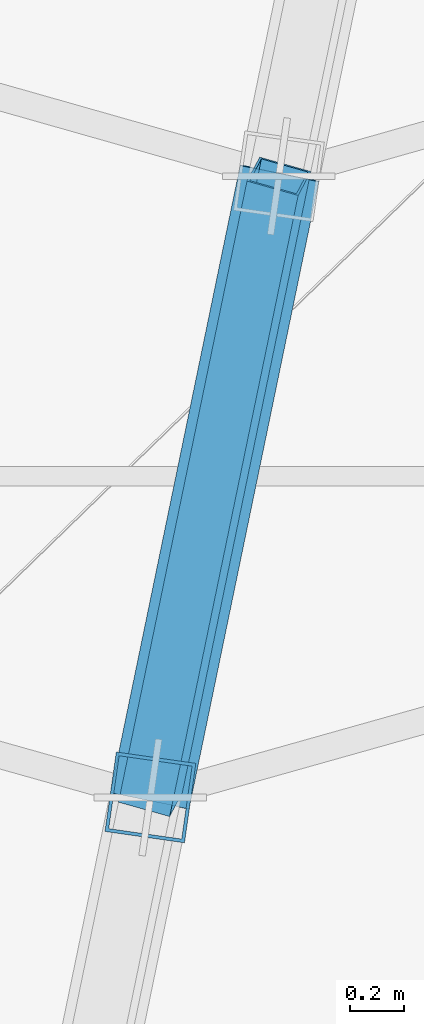
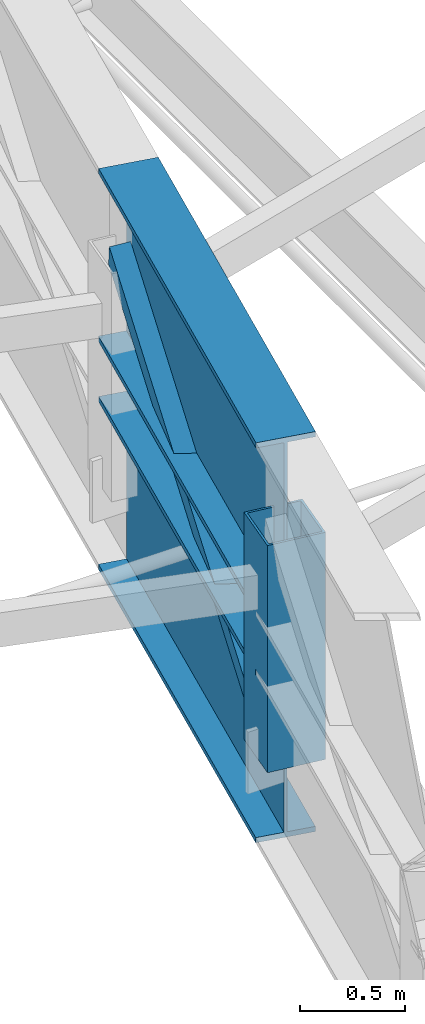
# One storey, part 48 of 184: 2 beams, 2 members.
"""IFC4 building model written with IfcOpenShell, lengths in metres."""

from ifc_helpers import new_model, si_unit, direction, frame, origin, origin_2d, place, context, subcontext, project, spatial, hollow_rectangle, i_section, extrude, material, material_profile, profile_set, type_object, element, save


model = new_model("IFC4")

# Units and contexts
model_context = context("Model", 3, precision=1e-05, world=origin(), true_north=direction((0.0, 1.0)))
body_context = subcontext(model_context, "Body", "Model", "MODEL_VIEW")
ifc_project = project(units=[si_unit("LENGTHUNIT", "METRE"), si_unit("AREAUNIT", "SQUARE_METRE"), si_unit("VOLUMEUNIT", "CUBIC_METRE"), si_unit("PLANEANGLEUNIT", "RADIAN"), si_unit("MASSUNIT", "GRAM", prefix="KILO")], contexts=[model_context])

# Site, building, storey
site_placement = place(None, origin())
site = spatial("IfcSite", under=ifc_project, at=site_placement, CompositionType="ELEMENT")
building_placement = place(site_placement, origin())
building = spatial("IfcBuilding", under=site, at=building_placement, Name="Kalgoora Escarpment Arena", CompositionType="ELEMENT")
storey_placement = place(building_placement, frame((0.0, 0.0, 27.60009765625)))
storey = spatial("IfcBuildingStorey", under=building, at=storey_placement, Name="Roof Level", CompositionType="ELEMENT", Elevation=27.60009765625)

# Beams
ifc_material_1 = material(Name="Structural steel Grade 350 (350 MPa)", Category="steel")
ifc_material_profile_1 = material_profile(ifc_material_1, i_section(OverallWidth=0.300048828125, OverallDepth=1.010009765625, WebThickness=0.01611328125, FlangeThickness=0.030029296875, at=origin_2d()))
ifc_profile_set_1 = profile_set([ifc_material_profile_1], Name="Structural steel Grade 350 (350 MPa)")
beam_type = type_object("IfcBeamType", Name="BM-TRUSS-CHORD", PredefinedType="USERDEFINED", material=ifc_profile_set_1)
for number, where, z_axis, x_axis, name in (
    (1, (94.797607421875, 45.98828125, -1.625), (0.202605182316, 0.979258381192, 0.002040334162), (-0.979260419507, 0.202605604036, 0.0), "Radial ROOF TRUSS spine 7 bottom chord 7"),
    (2, (94.797607421875, 45.98828125, -0.300048828125), (0.202603831774, 0.979251853575, 0.004182657151), (-0.979260419507, 0.202605604036, 0.0), "Radial ROOF TRUSS spine 7 top chord 7"),
):
    element("IfcBeam", number, at=place(storey_placement, frame(where, z_axis=z_axis, x_axis=x_axis)), inside=storey, type_object=beam_type, Name=name, ObjectType="GIRDER", PredefinedType="USERDEFINED", context=body_context, shape_type="SweptSolid", body=[
        extrude(i_section(OverallWidth=0.300048828125, OverallDepth=1.010009765625, WebThickness=0.01611328125, FlangeThickness=0.030029296875, at=origin_2d()), origin(), (0.0, 0.0, 1.0), 2.39306640625),
    ])

# Members
ifc_material_2 = material(Name="Structural steel C350 (350 MPa)", Category="steel")
ifc_material_profile_2 = material_profile(ifc_material_2, hollow_rectangle(XDim=0.199951171875, YDim=0.199951171875, WallThickness=0.009033203125, at=origin_2d()))
ifc_profile_set_2 = profile_set([ifc_material_profile_2], Name="Structural steel C350 (350 MPa)")
member_type_1 = type_object("IfcMemberType", Name="MEM-TRUSS-DIAG", PredefinedType="BRACE", material=ifc_profile_set_2)
member_1_placement = place(storey_placement, frame((94.800048828125, 46.0, -1.625), z_axis=(0.176501354021, 0.853149729026, 0.490900001927), x_axis=(-0.236939882202, -0.447238491435, 0.862459984)))
element("IfcMember", 3, at=member_1_placement, inside=storey, type_object=member_type_1, Name="Radial ROOF TRUSS spine 7 web diagonal 7", PredefinedType="BRACE", context=body_context, shape_type="SweptSolid", body=[
    extrude(hollow_rectangle(XDim=0.199951171875, YDim=0.199951171875, WallThickness=0.009033203125, at=origin_2d()), origin(), (0.0, 0.0, 1.0), 2.719482421875),
])
ifc_material_3 = material(Name="Structural steel C450 (450 MPa)", Category="steel")
ifc_material_profile_3 = material_profile(ifc_material_3, hollow_rectangle(XDim=0.300048828125, YDim=0.300048828125, WallThickness=0.012451171875, at=origin_2d()))
ifc_profile_set_3 = profile_set([ifc_material_profile_3], Name="Structural steel C450 (450 MPa)")
member_type_2 = type_object("IfcMemberType", Name="MEM-TRUSS-POST", PredefinedType="POST", material=ifc_profile_set_3)
member_2_placement = place(storey_placement, frame((94.800048828125, 46.0, -1.625), z_axis=(0.0, 0.0, 1.0), x_axis=(0.141419587774, 0.989949746297, 0.0)))
element("IfcMember", 4, at=member_2_placement, inside=storey, type_object=member_type_2, Name="Radial ROOF TRUSS spine 7 post 6", PredefinedType="POST", context=body_context, shape_type="SweptSolid", body=[
    extrude(hollow_rectangle(XDim=0.300048828125, YDim=0.300048828125, WallThickness=0.012451171875, at=origin_2d()), origin(), (0.0, 0.0, 1.0), 1.324951171875),
])

save(model, "model.ifc")
